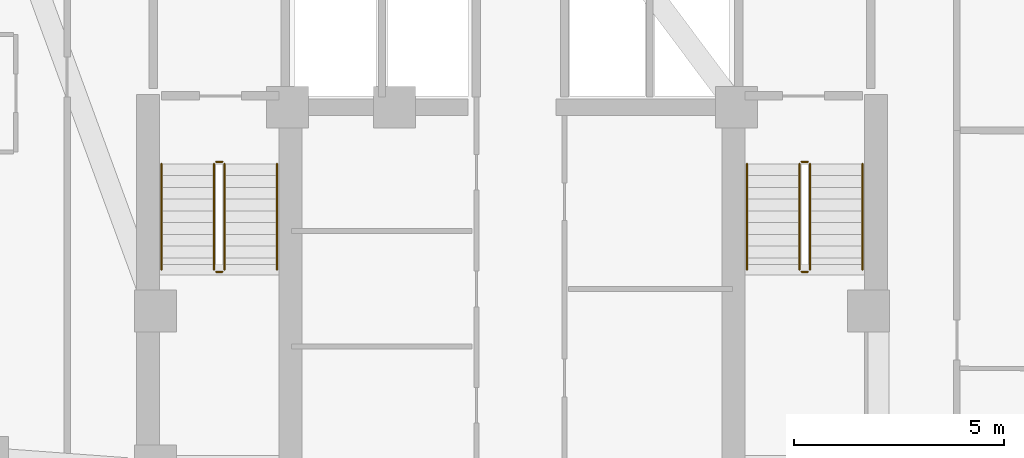
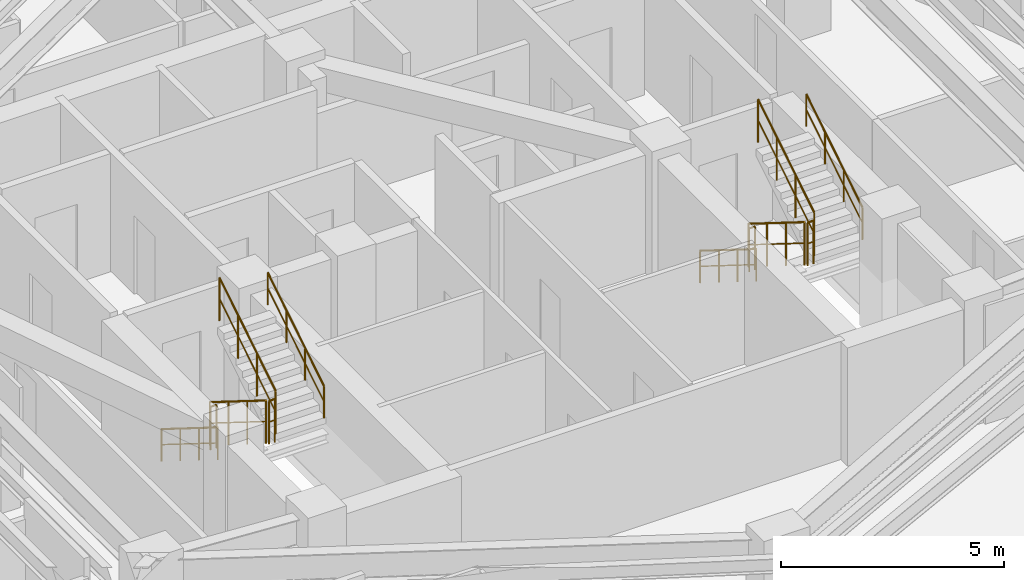
# One storey, part 11 of 11: 12 railings.
"""IFC4 building model written with IfcOpenShell, lengths in metres."""

from ifc_helpers import new_model, si_unit, direction, frame, origin, origin_2d, place, context, subcontext, project, spatial, circle, extrude, material, type_object, element, save


model = new_model("IFC4")

# Units and contexts
model_context = context("Model", 3, precision=1e-05, world=origin(), true_north=direction((0.0, 1.0)))
body_context = subcontext(model_context, "Body", "Model", "MODEL_VIEW")
ifc_project = project(units=[si_unit("LENGTHUNIT", "METRE"), si_unit("AREAUNIT", "SQUARE_METRE"), si_unit("VOLUMEUNIT", "CUBIC_METRE"), si_unit("PLANEANGLEUNIT", "RADIAN"), si_unit("MASSUNIT", "GRAM", prefix="KILO")], contexts=[model_context])

# Site, building, storey
site_placement = place(None, origin())
site = spatial("IfcSite", under=ifc_project, at=site_placement, CompositionType="ELEMENT")
building_placement = place(site_placement, origin())
building = spatial("IfcBuilding", under=site, at=building_placement, Name="Miruveldt Soraemaru", CompositionType="ELEMENT")
storey_placement = place(building_placement, frame((0.0, 0.0, 156.39990234375)))
storey = spatial("IfcBuildingStorey", under=building, at=storey_placement, Name="L43", CompositionType="ELEMENT", Elevation=156.39990234375)

# Railings
ifc_material = material(Name="Steel S355 (355 MPa)", Category="steel")
railing_type_1 = type_object("IfcRailingType", Name="RAIL-HR-900", PredefinedType="HANDRAIL", material=ifc_material)
railing_1_placement = place(storey_placement, frame((35.64990234375, 42.699951171875, 0.175048828125)))
element("IfcRailing", 1, at=railing_1_placement, inside=storey, type_object=railing_type_1, Name="L43 ST-1 stair handrail 1", PredefinedType="HANDRAIL", context=body_context, shape_type="SweptSolid", body=[
    extrude(circle(Radius=0.02392578125, at=origin_2d()), frame((0.0, 0.0, 0.8759765625), z_axis=(0.0, -0.848007534815, 0.529984170421), x_axis=(1.0, 0.0, 0.0)), (0.0, 0.0, 1.0), 2.9716796875),
    extrude(circle(Radius=0.01611328125, at=origin_2d()), frame((0.0, 0.0, 0.449951171875), z_axis=(0.0, -0.848007534815, 0.529984170421), x_axis=(1.0, 0.0, 0.0)), (0.0, 0.0, 1.0), 2.9716796875),
    extrude(circle(Radius=0.02099609375, at=origin_2d()), origin(), (0.0, 0.0, 1.0), 0.851806640625),
    extrude(circle(Radius=0.02099609375, at=origin_2d()), frame((0.0, -0.840087890625, 0.52490234375)), (0.0, 0.0, 1.0), 0.851806640625),
    extrude(circle(Radius=0.02099609375, at=origin_2d()), frame((0.0, -1.679931640625, 1.050048828125)), (0.0, 0.0, 1.0), 0.851806640625),
    extrude(circle(Radius=0.02099609375, at=origin_2d()), frame((0.0, -2.52001953125, 1.574951171875)), (0.0, 0.0, 1.0), 0.851806640625),
])
railing_2_placement = place(storey_placement, frame((38.39990234375, 40.179931640625, 1.925048828125)))
element("IfcRailing", 2, at=railing_2_placement, inside=storey, type_object=railing_type_1, Name="L43 ST-1 stair handrail 2", PredefinedType="HANDRAIL", context=body_context, shape_type="SweptSolid", body=[
    extrude(circle(Radius=0.02392578125, at=origin_2d()), frame((0.0, 0.0, 0.8759765625), z_axis=(0.0, 0.848007534815, 0.529984170421), x_axis=(-1.0, 0.0, 0.0)), (0.0, 0.0, 1.0), 2.9716796875),
    extrude(circle(Radius=0.01611328125, at=origin_2d()), frame((0.0, 0.0, 0.449951171875), z_axis=(0.0, 0.848007534815, 0.529984170421), x_axis=(-1.0, 0.0, 0.0)), (0.0, 0.0, 1.0), 2.9716796875),
    extrude(circle(Radius=0.02099609375, at=origin_2d()), origin(), (0.0, 0.0, 1.0), 0.851806640625),
    extrude(circle(Radius=0.02099609375, at=origin_2d()), frame((0.0, 0.840087890625, 0.52490234375)), (0.0, 0.0, 1.0), 0.851806640625),
    extrude(circle(Radius=0.02099609375, at=origin_2d()), frame((0.0, 1.679931640625, 1.050048828125)), (0.0, 0.0, 1.0), 0.851806640625),
    extrude(circle(Radius=0.02099609375, at=origin_2d()), frame((0.0, 2.52001953125, 1.574951171875)), (0.0, 0.0, 1.0), 0.851806640625),
])
railing_3_placement = place(storey_placement, frame((49.60009765625, 42.699951171875, 0.175048828125)))
element("IfcRailing", 3, at=railing_3_placement, inside=storey, type_object=railing_type_1, Name="L43 ST-2 stair handrail 1", PredefinedType="HANDRAIL", context=body_context, shape_type="SweptSolid", body=[
    extrude(circle(Radius=0.02392578125, at=origin_2d()), frame((0.0, 0.0, 0.8759765625), z_axis=(0.0, -0.848007534815, 0.529984170421), x_axis=(1.0, 0.0, 0.0)), (0.0, 0.0, 1.0), 2.9716796875),
    extrude(circle(Radius=0.01611328125, at=origin_2d()), frame((0.0, 0.0, 0.449951171875), z_axis=(0.0, -0.848007534815, 0.529984170421), x_axis=(1.0, 0.0, 0.0)), (0.0, 0.0, 1.0), 2.9716796875),
    extrude(circle(Radius=0.02099609375, at=origin_2d()), origin(), (0.0, 0.0, 1.0), 0.851806640625),
    extrude(circle(Radius=0.02099609375, at=origin_2d()), frame((0.0, -0.840087890625, 0.52490234375)), (0.0, 0.0, 1.0), 0.851806640625),
    extrude(circle(Radius=0.02099609375, at=origin_2d()), frame((0.0, -1.679931640625, 1.050048828125)), (0.0, 0.0, 1.0), 0.851806640625),
    extrude(circle(Radius=0.02099609375, at=origin_2d()), frame((0.0, -2.52001953125, 1.574951171875)), (0.0, 0.0, 1.0), 0.851806640625),
])
railing_4_placement = place(storey_placement, frame((52.35009765625, 40.179931640625, 1.925048828125)))
element("IfcRailing", 4, at=railing_4_placement, inside=storey, type_object=railing_type_1, Name="L43 ST-2 stair handrail 2", PredefinedType="HANDRAIL", context=body_context, shape_type="SweptSolid", body=[
    extrude(circle(Radius=0.02392578125, at=origin_2d()), frame((0.0, 0.0, 0.8759765625), z_axis=(0.0, 0.848007534815, 0.529984170421), x_axis=(-1.0, 0.0, 0.0)), (0.0, 0.0, 1.0), 2.9716796875),
    extrude(circle(Radius=0.01611328125, at=origin_2d()), frame((0.0, 0.0, 0.449951171875), z_axis=(0.0, 0.848007534815, 0.529984170421), x_axis=(-1.0, 0.0, 0.0)), (0.0, 0.0, 1.0), 2.9716796875),
    extrude(circle(Radius=0.02099609375, at=origin_2d()), origin(), (0.0, 0.0, 1.0), 0.851806640625),
    extrude(circle(Radius=0.02099609375, at=origin_2d()), frame((0.0, 0.840087890625, 0.52490234375)), (0.0, 0.0, 1.0), 0.851806640625),
    extrude(circle(Radius=0.02099609375, at=origin_2d()), frame((0.0, 1.679931640625, 1.050048828125)), (0.0, 0.0, 1.0), 0.851806640625),
    extrude(circle(Radius=0.02099609375, at=origin_2d()), frame((0.0, 2.52001953125, 1.574951171875)), (0.0, 0.0, 1.0), 0.851806640625),
])
railing_type_2 = type_object("IfcRailingType", Name="RAIL-STGUARD-1200", PredefinedType="GUARDRAIL", material=ifc_material)
railing_5_placement = place(storey_placement, frame((36.89990234375, 42.699951171875, 0.175048828125)))
element("IfcRailing", 5, at=railing_5_placement, inside=storey, type_object=railing_type_2, Name="L43 ST-1 stair guard 1", PredefinedType="GUARDRAIL", context=body_context, shape_type="SweptSolid", body=[
    extrude(circle(Radius=0.02392578125, at=origin_2d()), frame((0.0, 0.0, 1.17578125), z_axis=(0.0, -0.848007534815, 0.529984170421), x_axis=(1.0, 0.0, 0.0)), (0.0, 0.0, 1.0), 2.9716796875),
    extrude(circle(Radius=0.01611328125, at=origin_2d()), frame((0.0, 0.0, 0.60009765625), z_axis=(0.0, -0.848007534815, 0.529984170421), x_axis=(1.0, 0.0, 0.0)), (0.0, 0.0, 1.0), 2.9716796875),
    extrude(circle(Radius=0.02099609375, at=origin_2d()), origin(), (0.0, 0.0, 1.0), 1.15185546875),
    extrude(circle(Radius=0.02099609375, at=origin_2d()), frame((0.0, -0.840087890625, 0.52490234375)), (0.0, 0.0, 1.0), 1.15185546875),
    extrude(circle(Radius=0.02099609375, at=origin_2d()), frame((0.0, -1.679931640625, 1.050048828125)), (0.0, 0.0, 1.0), 1.15185546875),
    extrude(circle(Radius=0.02099609375, at=origin_2d()), frame((0.0, -2.52001953125, 1.574951171875)), (0.0, 0.0, 1.0), 1.15185546875),
])
railing_6_placement = place(storey_placement, frame((36.949951171875, 40.1298828125, 1.75)))
element("IfcRailing", 6, at=railing_6_placement, inside=storey, type_object=railing_type_2, Name="L43 ST-1 stair guard 2", PredefinedType="GUARDRAIL", context=body_context, shape_type="SweptSolid", body=[
    extrude(circle(Radius=0.02392578125, at=origin_2d()), frame((0.0, 0.0, 1.17578125), z_axis=(1.0, 0.0, 0.0), x_axis=(0.0, 1.0, 0.0)), (0.0, 0.0, 1.0), 0.150146484375),
    extrude(circle(Radius=0.01611328125, at=origin_2d()), frame((0.0, 0.0, 0.60009765625), z_axis=(1.0, 0.0, 0.0), x_axis=(0.0, 1.0, 0.0)), (0.0, 0.0, 1.0), 0.150146484375),
    extrude(circle(Radius=0.02099609375, at=origin_2d()), origin(), (0.0, 0.0, 1.0), 1.15185546875),
    extrude(circle(Radius=0.02099609375, at=origin_2d()), frame((0.150146484375, 0.0, 0.0)), (0.0, 0.0, 1.0), 1.15185546875),
])
railing_7_placement = place(storey_placement, frame((37.14990234375, 40.179931640625, 1.925048828125)))
element("IfcRailing", 7, at=railing_7_placement, inside=storey, type_object=railing_type_2, Name="L43 ST-1 stair guard 3", PredefinedType="GUARDRAIL", context=body_context, shape_type="SweptSolid", body=[
    extrude(circle(Radius=0.02392578125, at=origin_2d()), frame((0.0, 0.0, 1.17578125), z_axis=(0.0, 0.848007534815, 0.529984170421), x_axis=(-1.0, 0.0, 0.0)), (0.0, 0.0, 1.0), 2.9716796875),
    extrude(circle(Radius=0.01611328125, at=origin_2d()), frame((0.0, 0.0, 0.60009765625), z_axis=(0.0, 0.848007534815, 0.529984170421), x_axis=(-1.0, 0.0, 0.0)), (0.0, 0.0, 1.0), 2.9716796875),
    extrude(circle(Radius=0.02099609375, at=origin_2d()), origin(), (0.0, 0.0, 1.0), 1.15185546875),
    extrude(circle(Radius=0.02099609375, at=origin_2d()), frame((0.0, 0.840087890625, 0.52490234375)), (0.0, 0.0, 1.0), 1.15185546875),
    extrude(circle(Radius=0.02099609375, at=origin_2d()), frame((0.0, 1.679931640625, 1.050048828125)), (0.0, 0.0, 1.0), 1.15185546875),
    extrude(circle(Radius=0.02099609375, at=origin_2d()), frame((0.0, 2.52001953125, 1.574951171875)), (0.0, 0.0, 1.0), 1.15185546875),
])
railing_8_placement = place(storey_placement, frame((36.949951171875, 42.75, 0.0)))
element("IfcRailing", 8, at=railing_8_placement, inside=storey, type_object=railing_type_2, Name="L43 ST-1 stair guard 4", PredefinedType="GUARDRAIL", context=body_context, shape_type="SweptSolid", body=[
    extrude(circle(Radius=0.02392578125, at=origin_2d()), frame((0.0, 0.0, 1.17578125), z_axis=(1.0, 0.0, 0.0), x_axis=(0.0, 1.0, 0.0)), (0.0, 0.0, 1.0), 0.150146484375),
    extrude(circle(Radius=0.01611328125, at=origin_2d()), frame((0.0, 0.0, 0.60009765625), z_axis=(1.0, 0.0, 0.0), x_axis=(0.0, 1.0, 0.0)), (0.0, 0.0, 1.0), 0.150146484375),
    extrude(circle(Radius=0.02099609375, at=origin_2d()), origin(), (0.0, 0.0, 1.0), 1.15185546875),
    extrude(circle(Radius=0.02099609375, at=origin_2d()), frame((0.150146484375, 0.0, 0.0)), (0.0, 0.0, 1.0), 1.15185546875),
])
railing_9_placement = place(storey_placement, frame((50.85009765625, 42.699951171875, 0.175048828125)))
element("IfcRailing", 9, at=railing_9_placement, inside=storey, type_object=railing_type_2, Name="L43 ST-2 stair guard 1", PredefinedType="GUARDRAIL", context=body_context, shape_type="SweptSolid", body=[
    extrude(circle(Radius=0.02392578125, at=origin_2d()), frame((0.0, 0.0, 1.17578125), z_axis=(0.0, -0.848007534815, 0.529984170421), x_axis=(1.0, 0.0, 0.0)), (0.0, 0.0, 1.0), 2.9716796875),
    extrude(circle(Radius=0.01611328125, at=origin_2d()), frame((0.0, 0.0, 0.60009765625), z_axis=(0.0, -0.848007534815, 0.529984170421), x_axis=(1.0, 0.0, 0.0)), (0.0, 0.0, 1.0), 2.9716796875),
    extrude(circle(Radius=0.02099609375, at=origin_2d()), origin(), (0.0, 0.0, 1.0), 1.15185546875),
    extrude(circle(Radius=0.02099609375, at=origin_2d()), frame((0.0, -0.840087890625, 0.52490234375)), (0.0, 0.0, 1.0), 1.15185546875),
    extrude(circle(Radius=0.02099609375, at=origin_2d()), frame((0.0, -1.679931640625, 1.050048828125)), (0.0, 0.0, 1.0), 1.15185546875),
    extrude(circle(Radius=0.02099609375, at=origin_2d()), frame((0.0, -2.52001953125, 1.574951171875)), (0.0, 0.0, 1.0), 1.15185546875),
])
railing_10_placement = place(storey_placement, frame((50.89990234375, 40.1298828125, 1.75)))
element("IfcRailing", 10, at=railing_10_placement, inside=storey, type_object=railing_type_2, Name="L43 ST-2 stair guard 2", PredefinedType="GUARDRAIL", context=body_context, shape_type="SweptSolid", body=[
    extrude(circle(Radius=0.02392578125, at=origin_2d()), frame((0.0, 0.0, 1.17578125), z_axis=(1.0, 0.0, 0.0), x_axis=(0.0, 1.0, 0.0)), (0.0, 0.0, 1.0), 0.150146484375),
    extrude(circle(Radius=0.01611328125, at=origin_2d()), frame((0.0, 0.0, 0.60009765625), z_axis=(1.0, 0.0, 0.0), x_axis=(0.0, 1.0, 0.0)), (0.0, 0.0, 1.0), 0.150146484375),
    extrude(circle(Radius=0.02099609375, at=origin_2d()), origin(), (0.0, 0.0, 1.0), 1.15185546875),
    extrude(circle(Radius=0.02099609375, at=origin_2d()), frame((0.150146484375, 0.0, 0.0)), (0.0, 0.0, 1.0), 1.15185546875),
])
railing_11_placement = place(storey_placement, frame((51.10009765625, 40.179931640625, 1.925048828125)))
element("IfcRailing", 11, at=railing_11_placement, inside=storey, type_object=railing_type_2, Name="L43 ST-2 stair guard 3", PredefinedType="GUARDRAIL", context=body_context, shape_type="SweptSolid", body=[
    extrude(circle(Radius=0.02392578125, at=origin_2d()), frame((0.0, 0.0, 1.17578125), z_axis=(0.0, 0.848007534815, 0.529984170421), x_axis=(-1.0, 0.0, 0.0)), (0.0, 0.0, 1.0), 2.9716796875),
    extrude(circle(Radius=0.01611328125, at=origin_2d()), frame((0.0, 0.0, 0.60009765625), z_axis=(0.0, 0.848007534815, 0.529984170421), x_axis=(-1.0, 0.0, 0.0)), (0.0, 0.0, 1.0), 2.9716796875),
    extrude(circle(Radius=0.02099609375, at=origin_2d()), origin(), (0.0, 0.0, 1.0), 1.15185546875),
    extrude(circle(Radius=0.02099609375, at=origin_2d()), frame((0.0, 0.840087890625, 0.52490234375)), (0.0, 0.0, 1.0), 1.15185546875),
    extrude(circle(Radius=0.02099609375, at=origin_2d()), frame((0.0, 1.679931640625, 1.050048828125)), (0.0, 0.0, 1.0), 1.15185546875),
    extrude(circle(Radius=0.02099609375, at=origin_2d()), frame((0.0, 2.52001953125, 1.574951171875)), (0.0, 0.0, 1.0), 1.15185546875),
])
railing_12_placement = place(storey_placement, frame((50.89990234375, 42.75, 0.0)))
element("IfcRailing", 12, at=railing_12_placement, inside=storey, type_object=railing_type_2, Name="L43 ST-2 stair guard 4", PredefinedType="GUARDRAIL", context=body_context, shape_type="SweptSolid", body=[
    extrude(circle(Radius=0.02392578125, at=origin_2d()), frame((0.0, 0.0, 1.17578125), z_axis=(1.0, 0.0, 0.0), x_axis=(0.0, 1.0, 0.0)), (0.0, 0.0, 1.0), 0.150146484375),
    extrude(circle(Radius=0.01611328125, at=origin_2d()), frame((0.0, 0.0, 0.60009765625), z_axis=(1.0, 0.0, 0.0), x_axis=(0.0, 1.0, 0.0)), (0.0, 0.0, 1.0), 0.150146484375),
    extrude(circle(Radius=0.02099609375, at=origin_2d()), origin(), (0.0, 0.0, 1.0), 1.15185546875),
    extrude(circle(Radius=0.02099609375, at=origin_2d()), frame((0.150146484375, 0.0, 0.0)), (0.0, 0.0, 1.0), 1.15185546875),
])

save(model, "model.ifc")
